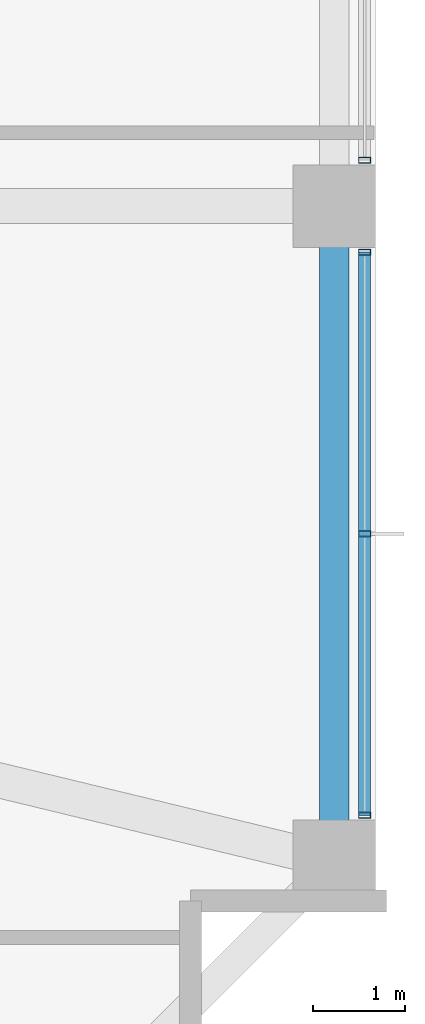
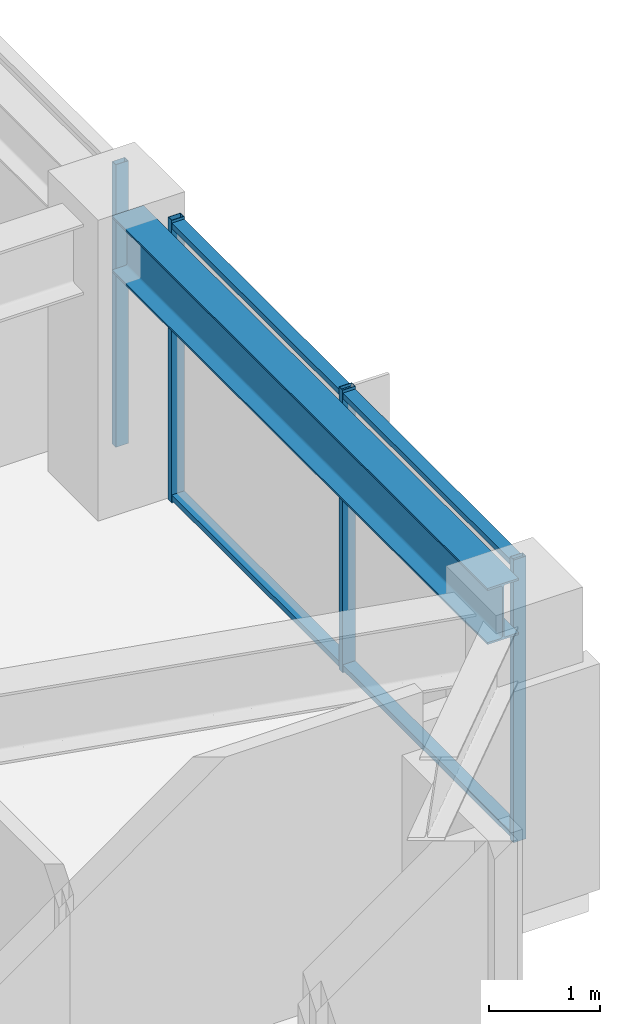
# One storey, part 13 of 31: 6 members, 1 beam, 2 elements without a shape of their own.
"""IFC4 building model written with IfcOpenShell, lengths in metres."""

from ifc_helpers import new_model, si_unit, direction, frame, origin, origin_2d, place, context, subcontext, project, spatial, hollow_rectangle, i_section, extrude, material, material_profile, profile_set, type_object, element, aggregate, save


model = new_model("IFC4")

# Units and contexts
model_context = context("Model", 3, precision=1e-05, world=origin(), true_north=direction((0.0, 1.0)))
body_context = subcontext(model_context, "Body", "Model", "MODEL_VIEW")
ifc_project = project(units=[si_unit("LENGTHUNIT", "METRE"), si_unit("AREAUNIT", "SQUARE_METRE"), si_unit("VOLUMEUNIT", "CUBIC_METRE"), si_unit("PLANEANGLEUNIT", "RADIAN"), si_unit("MASSUNIT", "GRAM", prefix="KILO")], contexts=[model_context])

# Site, building, storey
site_placement = place(None, origin())
site = spatial("IfcSite", under=ifc_project, at=site_placement, CompositionType="ELEMENT")
building_placement = place(site_placement, origin())
building = spatial("IfcBuilding", under=site, at=building_placement, Name="Kolvaren Belvedere", CompositionType="ELEMENT")
storey_placement = place(building_placement, frame((0.0, 0.0, 131.60009765625)))
storey = spatial("IfcBuildingStorey", under=building, at=storey_placement, Name="L38", CompositionType="ELEMENT", Elevation=131.60009765625)

# Beam
ifc_material_1 = material(Name="Structural steel ASTM A992 Grade 50", Category="steel")
ifc_material_profile_1 = material_profile(ifc_material_1, i_section(OverallWidth=0.324951171875, OverallDepth=0.615966796875, WebThickness=0.013916015625, FlangeThickness=0.021484375, FilletRadius=0.02001953125, at=origin_2d()), Name="W24X117")
ifc_profile_set_1 = profile_set([ifc_material_profile_1], Name="Structural steel ASTM A992 Grade 50")
beam_type = type_object("IfcBeamType", Name="BM-SPAN-W24X117", PredefinedType="SPANDREL", material=ifc_profile_set_1)
beam_placement = place(storey_placement, frame((17.550048828125, -11.547607421875, 2.7919921875), z_axis=(0.0, 1.0, 0.0), x_axis=(-1.0, 0.0, 0.0)))
element("IfcBeam", 1, at=beam_placement, inside=storey, type_object=beam_type, Name="L38 Perimeter Spandrel E1-E2", PredefinedType="SPANDREL", context=body_context, shape_type="SweptSolid", body=[
    extrude(i_section(OverallWidth=0.324951171875, OverallDepth=0.615966796875, WebThickness=0.013916015625, FlangeThickness=0.021484375, FilletRadius=0.02001953125, at=origin_2d()), origin(), (0.0, 0.0, 1.0), 6.7451171875),
])

# Curtain wall, member
ifc_material_2 = material(Name="Anodised pale-metal aluminium AA 6063-T6", Category="aluminium")
curtain_wall_type = type_object("IfcCurtainWallType", Name="CW-Z3-WAIST", PredefinedType="NOTDEFINED", material=ifc_material_2)
curtain_wall_1_placement = place(storey_placement, origin())
curtain_wall_1 = element("IfcCurtainWall", 2, at=curtain_wall_1_placement, inside=storey, type_object=curtain_wall_type, Name="L38 Unitised Curtain Wall FCW-L38-E-B2", PredefinedType="NOTDEFINED")
ifc_material_3 = material(Name="Anodised pale-metal aluminium AA 6063-T6", Category="aluminium")
ifc_material_profile_2 = material_profile(ifc_material_3, hollow_rectangle(XDim=0.06494140625, YDim=0.1298828125, WallThickness=0.00390625, at=origin_2d()), Name="ALU-MUL-130X65")
ifc_profile_set_2 = profile_set([ifc_material_profile_2], Name="Anodised pale-metal aluminium AA 6063-T6")
member_type_1 = type_object("IfcMemberType", Name="CW-MUL-130", PredefinedType="MULLION", material=ifc_profile_set_2)
member_1_placement = place(storey_placement, frame((17.8798828125, -4.097412109375, 0.0), z_axis=(0.0, 0.0, 1.0), x_axis=(0.0, 1.0, 0.0)))
member_1 = element("IfcMember", 3, at=member_1_placement, type_object=member_type_1, Name="FCW-L38-E-B2 Unitised Mullion 3", PredefinedType="MULLION", context=body_context, shape_type="SweptSolid", body=[
    extrude(hollow_rectangle(XDim=0.06494140625, YDim=0.1298828125, WallThickness=0.00390625, at=origin_2d()), origin(), (0.0, 0.0, 1.0), 3.099853515625),
])
aggregate(curtain_wall_1, [member_1])

# Curtain wall, members
curtain_wall_2_placement = place(storey_placement, origin())
curtain_wall_2 = element("IfcCurtainWall", 4, at=curtain_wall_2_placement, inside=storey, type_object=curtain_wall_type, Name="L38 Unitised Curtain Wall FCW-L38-E-B3", PredefinedType="NOTDEFINED")
member_2_placement = place(storey_placement, frame((17.8798828125, -5.1025390625, 0.0), z_axis=(0.0, 0.0, 1.0), x_axis=(0.0, 1.0, 0.0)))
member_2 = element("IfcMember", 5, at=member_2_placement, type_object=member_type_1, Name="FCW-L38-E-B3 Unitised Mullion 1", PredefinedType="MULLION", context=body_context, shape_type="SweptSolid", body=[
    extrude(hollow_rectangle(XDim=0.06494140625, YDim=0.1298828125, WallThickness=0.00390625, at=origin_2d()), origin(), (0.0, 0.0, 1.0), 3.099853515625),
])
member_3_placement = place(storey_placement, frame((17.8798828125, -8.175048828125, 0.0), z_axis=(0.0, 0.0, 1.0), x_axis=(0.0, 1.0, 0.0)))
member_3 = element("IfcMember", 6, at=member_3_placement, type_object=member_type_1, Name="FCW-L38-E-B3 Unitised Mullion 2", PredefinedType="MULLION", context=body_context, shape_type="SweptSolid", body=[
    extrude(hollow_rectangle(XDim=0.06494140625, YDim=0.1298828125, WallThickness=0.00390625, at=origin_2d()), origin(), (0.0, 0.0, 1.0), 3.099853515625),
])
member_4_placement = place(storey_placement, frame((17.8798828125, -11.24755859375, 0.0), z_axis=(0.0, 0.0, 1.0), x_axis=(0.0, 1.0, 0.0)))
member_4 = element("IfcMember", 7, at=member_4_placement, type_object=member_type_1, Name="FCW-L38-E-B3 Unitised Mullion 3", PredefinedType="MULLION", context=body_context, shape_type="SweptSolid", body=[
    extrude(hollow_rectangle(XDim=0.06494140625, YDim=0.1298828125, WallThickness=0.00390625, at=origin_2d()), origin(), (0.0, 0.0, 1.0), 3.099853515625),
])
ifc_material_4 = material(Name="Anodised pale-metal aluminium AA 6063-T6", Category="aluminium")
ifc_material_profile_3 = material_profile(ifc_material_4, hollow_rectangle(XDim=0.06005859375, YDim=0.1298828125, WallThickness=0.00390625, at=origin_2d()), Name="ALU-TRN-130X60")
ifc_profile_set_3 = profile_set([ifc_material_profile_3], Name="Anodised pale-metal aluminium AA 6063-T6")
member_type_2 = type_object("IfcMemberType", Name="CW-TRN-130", PredefinedType="USERDEFINED", material=ifc_profile_set_3)
member_5_placement = place(storey_placement, frame((17.8798828125, -5.1025390625, 0.059814453125), z_axis=(0.0, -1.0, 0.0), x_axis=(0.0, 0.0, 1.0)))
member_5 = element("IfcMember", 8, at=member_5_placement, type_object=member_type_2, Name="FCW-L38-E-B3 Sill Transom", ObjectType="TRANSOM", PredefinedType="USERDEFINED", context=body_context, shape_type="SweptSolid", body=[
    extrude(hollow_rectangle(XDim=0.06005859375, YDim=0.1298828125, WallThickness=0.00390625, at=origin_2d()), origin(), (0.0, 0.0, 1.0), 6.14501953125),
])
member_6_placement = place(storey_placement, frame((17.8798828125, -5.1025390625, 3.039794921875), z_axis=(0.0, -1.0, 0.0), x_axis=(0.0, 0.0, 1.0)))
member_6 = element("IfcMember", 9, at=member_6_placement, type_object=member_type_2, Name="FCW-L38-E-B3 Head Transom", ObjectType="TRANSOM", PredefinedType="USERDEFINED", context=body_context, shape_type="SweptSolid", body=[
    extrude(hollow_rectangle(XDim=0.06005859375, YDim=0.1298828125, WallThickness=0.00390625, at=origin_2d()), origin(), (0.0, 0.0, 1.0), 6.14501953125),
])
aggregate(curtain_wall_2, [member_2, member_3, member_4, member_5, member_6])

save(model, "model.ifc")
